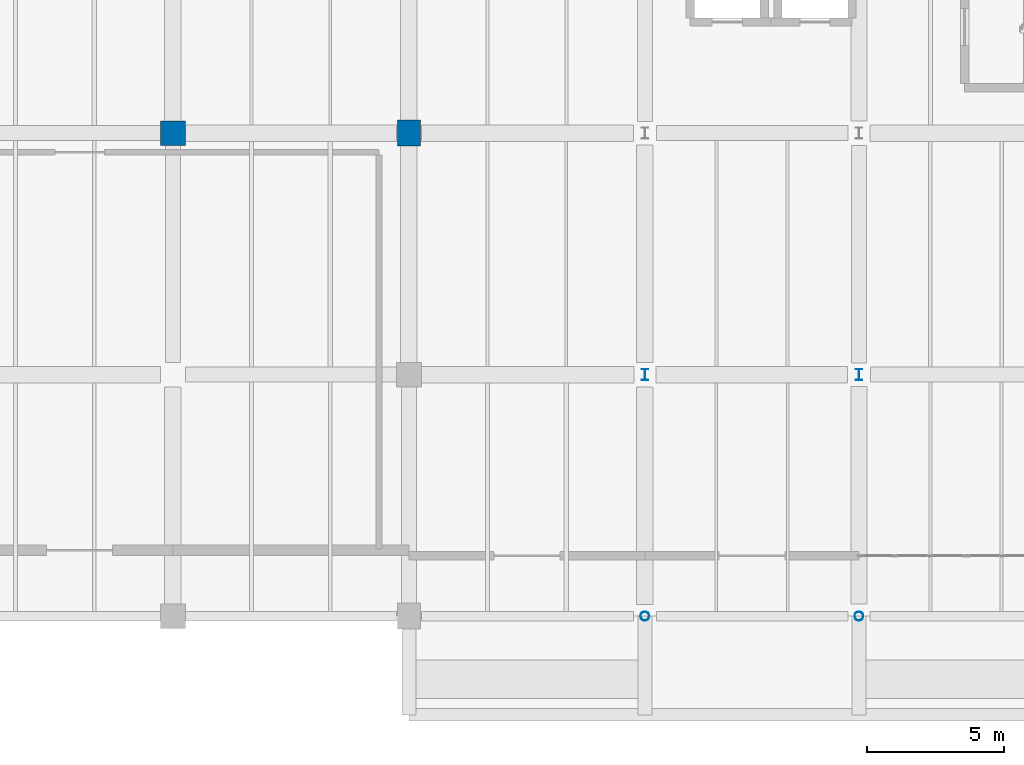
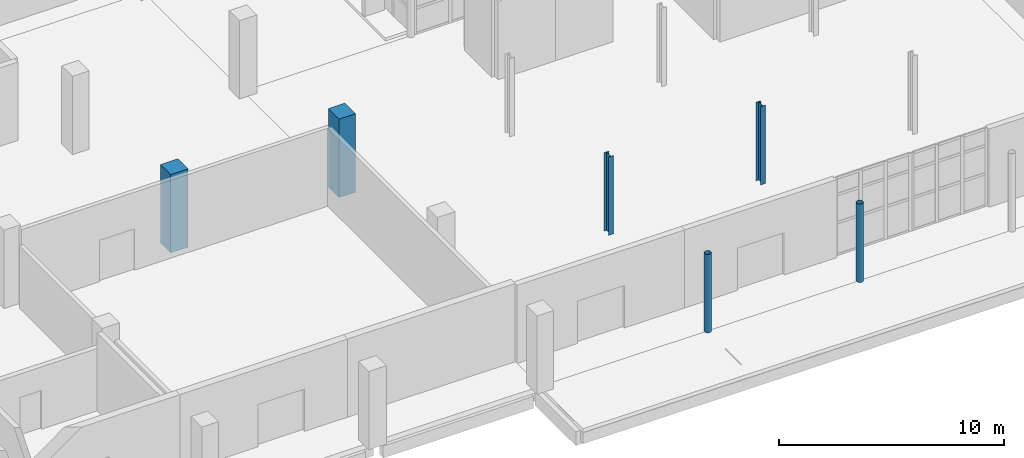
# One storey, part 2 of 76: 6 columns.
"""IFC4 building model written with IfcOpenShell, lengths in metres."""

from ifc_helpers import new_model, si_unit, direction, frame, origin, origin_2d, place, context, subcontext, project, spatial, rectangle, hollow_circle, i_section, extrude, material, material_profile, profile_set, type_object, element, save


model = new_model("IFC4")

# Units and contexts
model_context = context("Model", 3, precision=1e-05, world=origin(), true_north=direction((0.0, 1.0)))
body_context = subcontext(model_context, "Body", "Model", "MODEL_VIEW")
ifc_project = project(units=[si_unit("LENGTHUNIT", "METRE"), si_unit("AREAUNIT", "SQUARE_METRE"), si_unit("VOLUMEUNIT", "CUBIC_METRE"), si_unit("PLANEANGLEUNIT", "RADIAN"), si_unit("MASSUNIT", "GRAM", prefix="KILO")], contexts=[model_context])

# Site, building, storey
site_placement = place(None, origin())
site = spatial("IfcSite", under=ifc_project, at=site_placement, CompositionType="ELEMENT")
building_placement = place(site_placement, origin())
building = spatial("IfcBuilding", under=site, at=building_placement, Name="Varnakota Cinema and Media Centre", CompositionType="ELEMENT")
storey_placement = place(building_placement, origin())
storey = spatial("IfcBuildingStorey", under=building, at=storey_placement, Name="L00", CompositionType="ELEMENT", Elevation=0.0)

# Columns
ifc_material_1 = material(Name="Concrete M50", Category="concrete")
ifc_material_profile_1 = material_profile(ifc_material_1, rectangle(XDim=0.85009765625, YDim=0.949951171875, at=origin_2d()), Name="RC 850x950")
ifc_profile_set_1 = profile_set([ifc_material_profile_1], Name="Concrete M50")
column_type_1 = type_object("IfcColumnType", Name="COL-RC-850x950", PredefinedType="COLUMN", material=ifc_profile_set_1)
column_1_placement = place(storey_placement, frame((43.0, 17.60009765625, 0.0), z_axis=(0.0, 0.0, 1.0), x_axis=(1.0, 0.0, 0.0)))
element("IfcColumn", 1, at=column_1_placement, inside=storey, type_object=column_type_1, Name="L00 column F/3", PredefinedType="COLUMN", context=body_context, shape_type="SweptSolid", body=[
    extrude(rectangle(XDim=0.85009765625, YDim=0.949951171875, at=origin_2d()), origin(), (0.0, 0.0, 1.0), 4.25),
])
ifc_material_2 = material(Name="Concrete M50", Category="concrete")
ifc_material_profile_2 = material_profile(ifc_material_2, rectangle(XDim=0.89990234375, YDim=0.89990234375, at=origin_2d()), Name="RC 900x900")
ifc_profile_set_2 = profile_set([ifc_material_profile_2], Name="Concrete M50")
column_type_2 = type_object("IfcColumnType", Name="COL-RC-900x900", PredefinedType="COLUMN", material=ifc_profile_set_2)
column_2_placement = place(storey_placement, frame((34.39990234375, 17.60009765625, 0.0), z_axis=(0.0, 0.0, 1.0), x_axis=(1.0, 0.0, 0.0)))
element("IfcColumn", 2, at=column_2_placement, inside=storey, type_object=column_type_2, Name="L00 column E/3", PredefinedType="COLUMN", context=body_context, shape_type="SweptSolid", body=[
    extrude(rectangle(XDim=0.89990234375, YDim=0.89990234375, at=origin_2d()), origin(), (0.0, 0.0, 1.0), 4.25),
])
ifc_material_3 = material(Name="Structural steel S355 (YSt 355)", Category="steel")
ifc_material_profile_3 = material_profile(ifc_material_3, hollow_circle(Radius=0.161865234375, WallThickness=0.010009765625, at=origin_2d()), Name="CHS 323.9x10.0")
ifc_profile_set_3 = profile_set([ifc_material_profile_3], Name="Structural steel S355 (YSt 355)")
column_type_3 = type_object("IfcColumnType", Name="COL-ST-CHS324", PredefinedType="COLUMN", material=ifc_profile_set_3)
for number, where, z_axis, x_axis, name in (
    (3, (51.60009765625, 0.0, 0.0), (0.0, 0.0, 1.0), (1.0, 0.0, 0.0), "L00 column G/1"),
    (4, (59.39990234375, 0.0, 0.0), (0.0, 0.0, 1.0), (1.0, 0.0, 0.0), "L00 column H/1"),
):
    element("IfcColumn", number, at=place(storey_placement, frame(where, z_axis=z_axis, x_axis=x_axis)), inside=storey, type_object=column_type_3, Name=name, PredefinedType="COLUMN", context=body_context, shape_type="SweptSolid", body=[
        extrude(hollow_circle(Radius=0.161865234375, WallThickness=0.010009765625, at=origin_2d()), origin(), (0.0, 0.0, 1.0), 4.25),
    ])
ifc_material_4 = material(Name="Structural steel Grade 350 (E350)", Category="steel")
ifc_material_profile_4 = material_profile(ifc_material_4, i_section(OverallWidth=0.25, OverallDepth=0.39990234375, WebThickness=0.010498046875, FlangeThickness=0.0126953125, FilletRadius=0.011962890625, at=origin_2d()), Name="ISHB 400")
ifc_profile_set_4 = profile_set([ifc_material_profile_4], Name="Structural steel Grade 350 (E350)")
column_type_4 = type_object("IfcColumnType", Name="COL-ST-ISHB400", PredefinedType="COLUMN", material=ifc_profile_set_4)
for number, where, z_axis, x_axis, name in (
    (5, (51.60009765625, 8.800048828125, 0.0), (0.0, 0.0, 1.0), (1.0, 0.0, 0.0), "L00 column G/2"),
    (6, (59.39990234375, 8.800048828125, 0.0), (0.0, 0.0, 1.0), (1.0, 0.0, 0.0), "L00 column H/2"),
):
    element("IfcColumn", number, at=place(storey_placement, frame(where, z_axis=z_axis, x_axis=x_axis)), inside=storey, type_object=column_type_4, Name=name, PredefinedType="COLUMN", context=body_context, shape_type="SweptSolid", body=[
        extrude(i_section(OverallWidth=0.25, OverallDepth=0.39990234375, WebThickness=0.010498046875, FlangeThickness=0.0126953125, FilletRadius=0.011962890625, at=origin_2d()), origin(), (0.0, 0.0, 1.0), 4.25),
    ])

save(model, "model.ifc")
